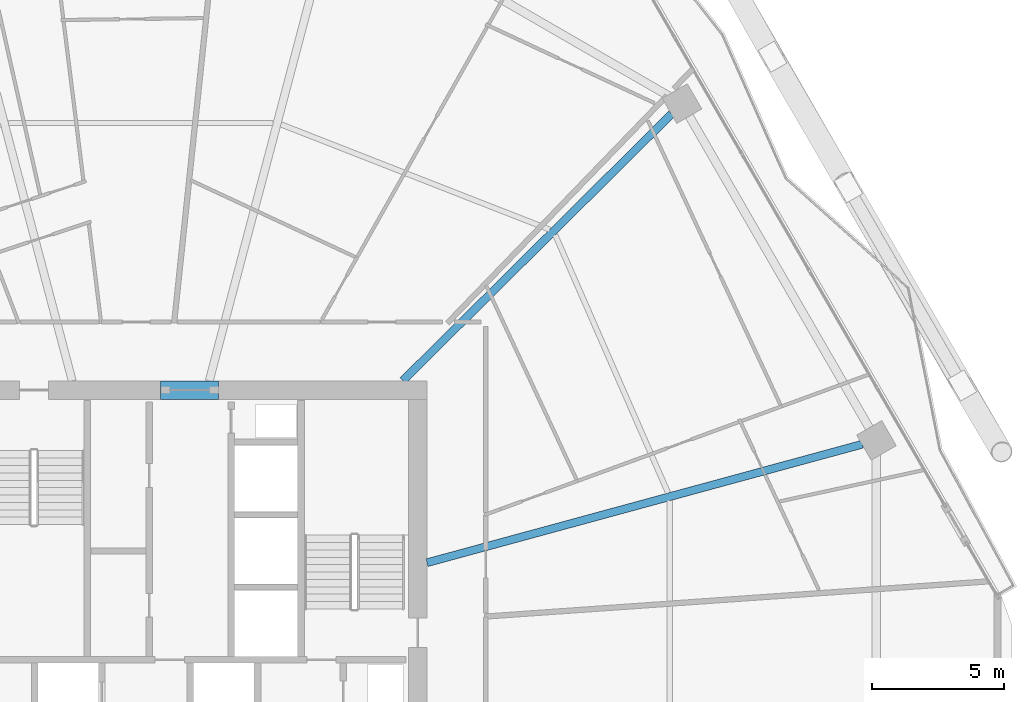
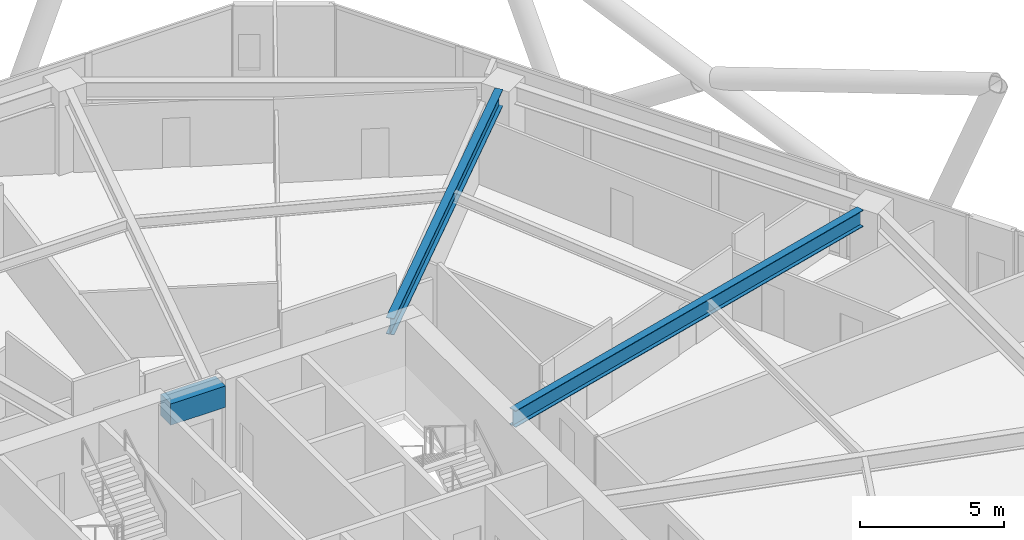
# One storey, part 19 of 34: 3 beams.
"""IFC4 building model written with IfcOpenShell, lengths in metres."""

import ifcopenshell
import ifcopenshell.guid

model = None  # the IFC model being written
_history = None  # IfcOwnerHistory: only IFC2X3 demands one
_inside = {}  # id of a spatial element -> (the spatial element, [elements in it])
_under = {}  # id of a project, library or spatial element -> (it, [spatial elements below it])
_declared = {}  # id of a project -> (the project, [libraries it declares])
_typed = {}  # id of a type object -> (the type object, [elements of that type])
_made_of = {}  # id of a material, layer set ... -> (it, [elements and type objects made of it])


def new_model(schema):
    """Start an empty IFC model of exactly this schema.

    Asked for "IFC4X3", IfcOpenShell would pick the latest addendum, in which some entities
    have other attributes; the version numbers below select the first issue.
    IFC2X3 requires an IfcOwnerHistory on every rooted entity: one is made here for all.
    """
    global model, _history
    if schema == "IFC4X3":
        model = ifcopenshell.file(schema_version=(4, 3, 0, 0))
    else:
        model = ifcopenshell.file(schema=schema)
    _inside.clear()
    _under.clear()
    _declared.clear()
    _typed.clear()
    _made_of.clear()
    _history = None
    if model.schema == "IFC2X3":
        org = make("IfcOrganization", Name="unknown")
        user = make(
            "IfcPersonAndOrganization",
            ThePerson=make("IfcPerson", FamilyName="unknown"),
            TheOrganization=org,
        )
        app = make(
            "IfcApplication",
            ApplicationDeveloper=org,
            Version="unknown",
            ApplicationFullName="unknown",
            ApplicationIdentifier="unknown",
        )
        _history = make(
            "IfcOwnerHistory",
            OwningUser=user,
            OwningApplication=app,
            ChangeAction="ADDED",
            CreationDate=0,
        )
    return model


def make(cls, **values):
    """One entity of the class cls with the attributes given. An attribute that is None is left unset."""
    return model.create_entity(
        cls, **{name: value for name, value in values.items() if value is not None}
    )


def rooted(cls, **values):
    """An entity with a GlobalId (a new one), such as an element, a storey or a relation."""
    return make(cls, GlobalId=ifcopenshell.guid.new(), OwnerHistory=_history, **values)


def si_unit(unit_type, name, prefix=None):
    """IfcSIUnit, for example si_unit("LENGTHUNIT", "METRE", prefix="MILLI")."""
    return make("IfcSIUnit", UnitType=unit_type, Prefix=prefix, Name=name)


def assignment(units):
    """IfcUnitAssignment: the units of a project."""
    return None if units is None else make("IfcUnitAssignment", Units=units)


def point(xyz):
    """IfcCartesianPoint."""
    return None if xyz is None else make("IfcCartesianPoint", Coordinates=xyz)


def direction(xyz):
    """IfcDirection."""
    return None if xyz is None else make("IfcDirection", DirectionRatios=xyz)


def frame(location, z_axis=None, x_axis=None):
    """IfcAxis2Placement3D, a coordinate frame: its origin and axes. An axis left out is left unset."""
    return make(
        "IfcAxis2Placement3D",
        Location=point(location),
        Axis=direction(z_axis),
        RefDirection=direction(x_axis),
    )


def frame_2d(location, x_axis=None):
    """IfcAxis2Placement2D, a coordinate frame in the plane: its origin and x axis."""
    return make(
        "IfcAxis2Placement2D", Location=point(location), RefDirection=direction(x_axis)
    )


def origin():
    """The frame at (0, 0, 0) with its axes left unset."""
    return frame((0.0, 0.0, 0.0))


def origin_2d():
    """The frame at (0, 0) in the plane with its x axis left unset."""
    return frame_2d((0.0, 0.0))


def place(relative_to, where):
    """IfcLocalPlacement: puts the frame where relative to a parent placement (None: the world)."""
    return make(
        "IfcLocalPlacement", PlacementRelTo=relative_to, RelativePlacement=where
    )


def context(
    kind, dimensions, precision=None, world=None, true_north=None, identifier=None
):
    """IfcGeometricRepresentationContext, for example the 3D "Model" context."""
    return make(
        "IfcGeometricRepresentationContext",
        ContextIdentifier=identifier,
        ContextType=kind,
        CoordinateSpaceDimension=dimensions,
        Precision=precision,
        WorldCoordinateSystem=world,
        TrueNorth=true_north,
    )


def subcontext(parent, identifier, kind, view, scale=None):
    """IfcGeometricRepresentationSubContext, for example "Body" below "Model"."""
    return make(
        "IfcGeometricRepresentationSubContext",
        ContextIdentifier=identifier,
        ContextType=kind,
        ParentContext=parent,
        TargetScale=scale,
        TargetView=view,
    )


def project(units=None, contexts=None):
    """IfcProject with its units and contexts."""
    return rooted(
        "IfcProject",
        Name="project",
        RepresentationContexts=contexts,
        UnitsInContext=assignment(units),
    )


def spatial(cls, under=None, at=None, **own):
    """A site, building, storey or space (cls), placed at a placement, below another one or the project."""
    s = rooted(cls, ObjectPlacement=at, **own)
    if under is not None:
        _under.setdefault(under.id(), (under, []))[1].append(s)
    return s


def profile(cls, at=None, kind="AREA", **sizes):
    """A parametric profile (cls). Its sizes go by their IFC names, for example OverallWidth=200.0."""
    return make(cls, ProfileType=kind, Position=at, **sizes)


def rectangle(**sizes):
    """IfcRectangleProfileDef."""
    return profile("IfcRectangleProfileDef", **sizes)


def i_section(**sizes):
    """IfcIShapeProfileDef."""
    return profile("IfcIShapeProfileDef", **sizes)


def extrude(swept, where, along, depth):
    """IfcExtrudedAreaSolid: the profile swept, set in the frame where, extruded along a direction by depth."""
    return make(
        "IfcExtrudedAreaSolid",
        SweptArea=swept,
        Position=where,
        ExtrudedDirection=direction(along),
        Depth=depth,
    )


def shape(context_of_items, identifier, shape_type, items):
    """IfcShapeRepresentation: the items that make up one representation, for example the "Body"."""
    return make(
        "IfcShapeRepresentation",
        ContextOfItems=context_of_items,
        RepresentationIdentifier=identifier,
        RepresentationType=shape_type,
        Items=items,
    )


def material(Name=None, Category=None):
    """IfcMaterial."""
    return make("IfcMaterial", Name=Name, Category=Category)


def material_profile(
    of_material, cross_section, Name=None, Category=None, Priority=None
):
    """IfcMaterialProfile: a cross section and its material."""
    return make(
        "IfcMaterialProfile",
        Name=Name,
        Material=of_material,
        Profile=cross_section,
        Priority=Priority,
        Category=Category,
    )


def profile_set(profiles, Name=None, composite=None):
    """IfcMaterialProfileSet."""
    return make(
        "IfcMaterialProfileSet",
        Name=Name,
        MaterialProfiles=profiles,
        CompositeProfile=composite,
    )


def made_of(thing, what):
    """Note that an element or type object is made of a material, layer set ...; save() writes the relation."""
    if what is not None:
        _made_of.setdefault(what.id(), (what, []))[1].append(thing)
    return thing


def type_object(cls, material=None, **own):
    """A type object (cls), such as IfcWallType, which elements share."""
    return made_of(rooted(cls, **own), material)


def element(
    cls,
    number,
    at=None,
    inside=None,
    cuts=None,
    type_object=None,
    material=None,
    context=None,
    identifier="Body",
    shape_type=None,
    held_by="IfcProductDefinitionShape",
    body=None,
    shapes=None,
    **own,
):
    """One element of the class cls, such as IfcWall. Its Tag is "e" and its number.

    at: its placement. inside: the storey or other place that contains it. cuts: it is an
    opening in that element (IfcRelVoidsElement). A single representation is given by context,
    identifier, shape_type and body (its items); several are given by shapes. held_by: the class
    of the entity that holds the representations. save() writes the other relations.
    """
    e = rooted(cls, Tag="e%d" % number, ObjectPlacement=at, **own)
    if body is not None:
        shapes = [shape(context, identifier, shape_type, body)]
    if shapes is not None:
        e.Representation = make(held_by, Representations=shapes)
    if inside is not None:
        _inside.setdefault(inside.id(), (inside, []))[1].append(e)
    if cuts is not None:
        rooted(
            "IfcRelVoidsElement", RelatingBuildingElement=cuts, RelatedOpeningElement=e
        )
    if type_object is not None:
        _typed.setdefault(type_object.id(), (type_object, []))[1].append(e)
    return made_of(e, material)


def aggregate(whole, parts):
    """IfcRelAggregates: a whole, such as a stair, and the parts it consists of."""
    return rooted("IfcRelAggregates", RelatingObject=whole, RelatedObjects=parts)


def save(model, path):
    """Write the relations noted so far, then the file.

    IfcRelAggregates (storeys below a building ...), IfcRelContainedInSpatialStructure (elements
    in a storey), IfcRelDefinesByType, IfcRelAssociatesMaterial and IfcRelDeclares: one each for
    every whole, place, type object, material and project.
    """
    for whole, parts in _under.values():
        aggregate(whole, parts)
    for where, things in _inside.values():
        rooted(
            "IfcRelContainedInSpatialStructure",
            RelatedElements=things,
            RelatingStructure=where,
        )
    for kind, things in _typed.values():
        rooted("IfcRelDefinesByType", RelatedObjects=things, RelatingType=kind)
    for what, things in _made_of.values():
        rooted("IfcRelAssociatesMaterial", RelatedObjects=things, RelatingMaterial=what)
    for by, libraries in _declared.values():
        rooted("IfcRelDeclares", RelatingContext=by, RelatedDefinitions=libraries)
    model.write(path)


model = new_model("IFC4")

# Units and contexts
model_context = context("Model", 3, precision=1e-05, world=origin(), true_north=direction((0.0, 1.0)))
body_context = subcontext(model_context, "Body", "Model", "MODEL_VIEW")
ifc_project = project(units=[si_unit("LENGTHUNIT", "METRE"), si_unit("AREAUNIT", "SQUARE_METRE"), si_unit("VOLUMEUNIT", "CUBIC_METRE"), si_unit("PLANEANGLEUNIT", "RADIAN"), si_unit("MASSUNIT", "GRAM", prefix="KILO")], contexts=[model_context])

# Site, building, storey
site_placement = place(None, origin())
site = spatial("IfcSite", under=ifc_project, at=site_placement, CompositionType="ELEMENT")
building_placement = place(site_placement, origin())
building = spatial("IfcBuilding", under=site, at=building_placement, Name="Zuhravey Tower", CompositionType="ELEMENT")
storey_placement = place(building_placement, frame((0.0, 0.0, 100.0)))
storey = spatial("IfcBuildingStorey", under=building, at=storey_placement, Name="L24", CompositionType="ELEMENT", Elevation=100.0)

# Beams
ifc_material_1 = material(Name="Concrete C60/75", Category="concrete")
ifc_material_profile_1 = material_profile(ifc_material_1, rectangle(XDim=0.699951171875, YDim=0.89990234375, at=origin_2d()), Name="RC-700x900")
ifc_profile_set_1 = profile_set([ifc_material_profile_1], Name="Concrete C60/75")
beam_type_1 = type_object("IfcBeamType", Name="Core Coupling Beam RC700x900", PredefinedType="LINTEL", material=ifc_profile_set_1)
beam_1_placement = place(storey_placement, frame((36.751953125, 41.5, 3.10009765625), z_axis=(1.0, 0.0, 0.0), x_axis=(0.0, 1.0, 0.0)))
element("IfcBeam", 1, at=beam_1_placement, inside=storey, type_object=beam_type_1, Name="L24 CB1 BM-L24-CB-N", PredefinedType="LINTEL", context=body_context, shape_type="SweptSolid", body=[
    extrude(rectangle(XDim=0.699951171875, YDim=0.89990234375, at=origin_2d()), origin(), (0.0, 0.0, 1.0), 2.196044921875),
])
ifc_material_2 = material(Name="Steel SM355", Category="steel")
ifc_material_profile_2 = material_profile(ifc_material_2, i_section(OverallWidth=0.300048828125, OverallDepth=0.699951171875, WebThickness=0.012939453125, FlangeThickness=0.02392578125, at=origin_2d()), Name="H-700x300x13x24")
ifc_profile_set_2 = profile_set([ifc_material_profile_2], Name="Steel SM355")
beam_type_2 = type_object("IfcBeamType", Name="Radial Primary Girder H700x300", PredefinedType="BEAM", material=ifc_profile_set_2)
beam_2_placement = place(storey_placement, frame((46.85302734375, 34.954345703125, 3.199951171875), z_axis=(0.964893166225, 0.262642680791, 0.0), x_axis=(-0.262642680791, 0.964893166225, 0.0)))
element("IfcBeam", 2, at=beam_2_placement, inside=storey, type_object=beam_type_2, Name="L24 RG1 BM-L24-RAD-01", PredefinedType="BEAM", context=body_context, shape_type="SweptSolid", body=[
    extrude(i_section(OverallWidth=0.300048828125, OverallDepth=0.699951171875, WebThickness=0.012939453125, FlangeThickness=0.02392578125, at=origin_2d()), origin(), (0.0, 0.0, 1.0), 17.102783203125),
])
beam_3_placement = place(storey_placement, frame((45.931396484375, 41.85302734375, 3.199951171875), z_axis=(0.709906230344, 0.704296204816, 0.0), x_axis=(-0.704296204816, 0.709906230344, 0.0)))
element("IfcBeam", 3, at=beam_3_placement, inside=storey, type_object=beam_type_2, Name="L24 RG1 BM-L24-RAD-02", PredefinedType="BEAM", context=body_context, shape_type="SweptSolid", body=[
    extrude(i_section(OverallWidth=0.300048828125, OverallDepth=0.699951171875, WebThickness=0.012939453125, FlangeThickness=0.02392578125, at=origin_2d()), origin(), (0.0, 0.0, 1.0), 14.361083984375),
])

save(model, "model.ifc")
